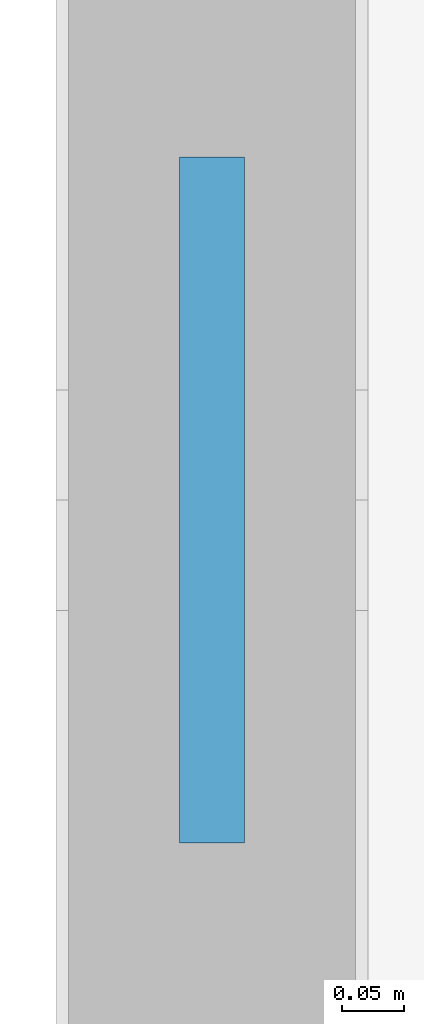
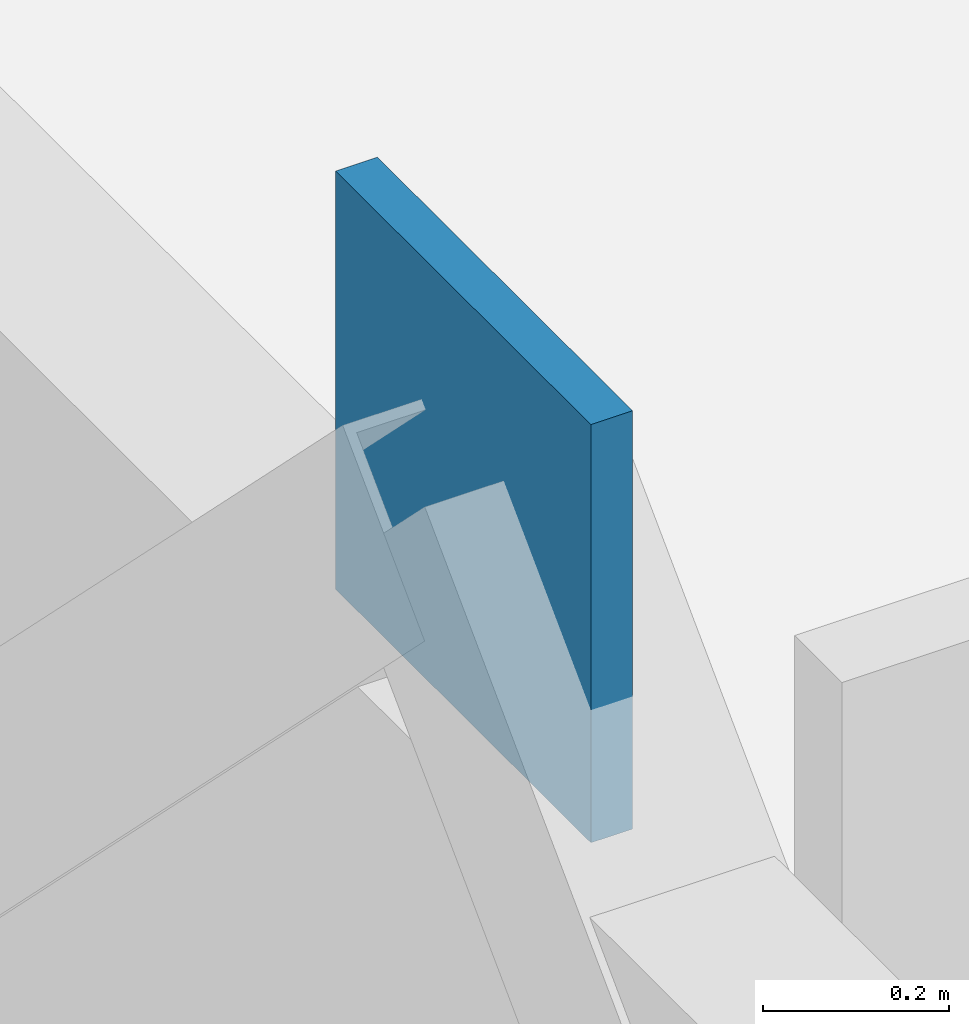
# One storey, part 19 of 28: 1 plate.
"""IFC4 building model written with IfcOpenShell, lengths in metres."""

from ifc_helpers import new_model, si_unit, direction, frame, origin, origin_2d, place, context, subcontext, project, spatial, rectangle, extrude, material, layer, layer_set, type_object, element, save


model = new_model("IFC4")

# Units and contexts
model_context = context("Model", 3, precision=1e-05, world=origin(), true_north=direction((0.0, 1.0)))
body_context = subcontext(model_context, "Body", "Model", "MODEL_VIEW")
ifc_project = project(units=[si_unit("LENGTHUNIT", "METRE"), si_unit("AREAUNIT", "SQUARE_METRE"), si_unit("VOLUMEUNIT", "CUBIC_METRE"), si_unit("PLANEANGLEUNIT", "RADIAN"), si_unit("MASSUNIT", "GRAM", prefix="KILO")], contexts=[model_context])

# Site, building, storey
site_placement = place(None, origin())
site = spatial("IfcSite", under=ifc_project, at=site_placement, CompositionType="ELEMENT")
building_placement = place(site_placement, origin())
building = spatial("IfcBuilding", under=site, at=building_placement, Name="Yarey Park Central Fire Station", CompositionType="ELEMENT")
storey_placement = place(building_placement, frame((0.0, 0.0, 22.199951171875)))
storey = spatial("IfcBuildingStorey", under=building, at=storey_placement, Name="L06", CompositionType="ELEMENT", Elevation=22.199951171875)

# Plate
ifc_material = material(Name="Steel ASTM A572 Gr. 50", Category="steel")
ifc_layer = layer(ifc_material, 0.052001953125)
ifc_layer_set = layer_set([ifc_layer], Name="Steel ASTM A572 Gr. 50")
plate_type = type_object("IfcPlateType", Name="STR_PLT_NODE3", PredefinedType="USERDEFINED", material=ifc_layer_set)
plate_placement = place(storey_placement, frame((115.199951171875, 104.39990234375, 3.375), z_axis=(0.0, 0.0, 1.0), x_axis=(1.0, 0.0, 0.0)))
element("IfcPlate", 1, at=plate_placement, inside=storey, type_object=plate_type, Name="NODE_PLT_V4_L06", ObjectType="GUSSET_PLATE", PredefinedType="USERDEFINED", context=body_context, shape_type="SweptSolid", body=[
    extrude(rectangle(XDim=0.052001953125, YDim=0.550048828125, at=origin_2d()), origin(), (0.0, 0.0, 1.0), 0.550048828125),
])

save(model, "model.ifc")
